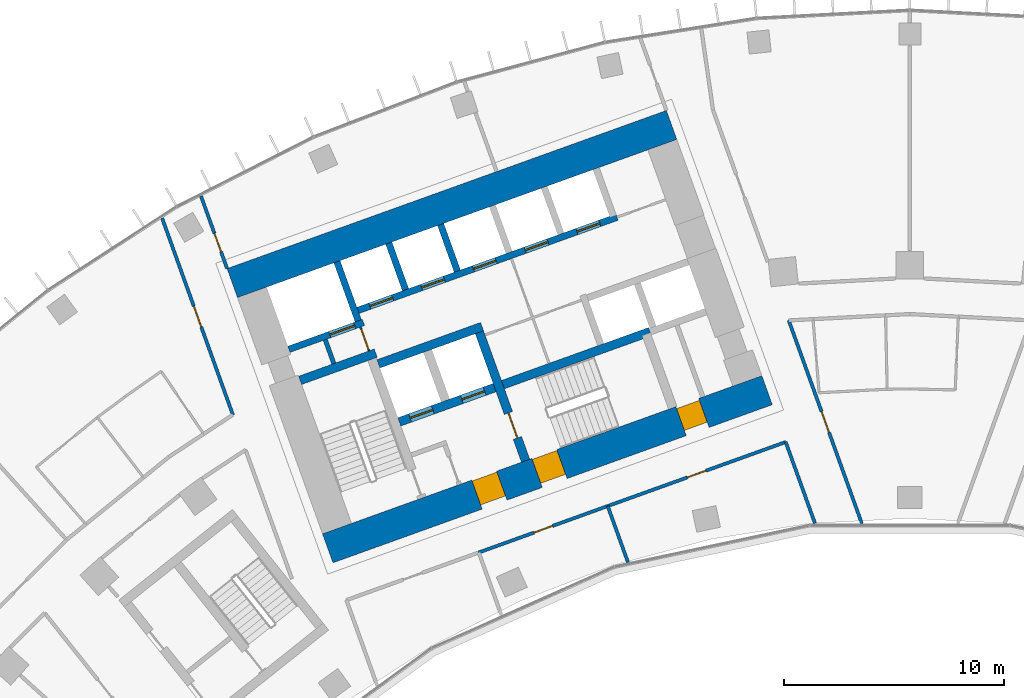
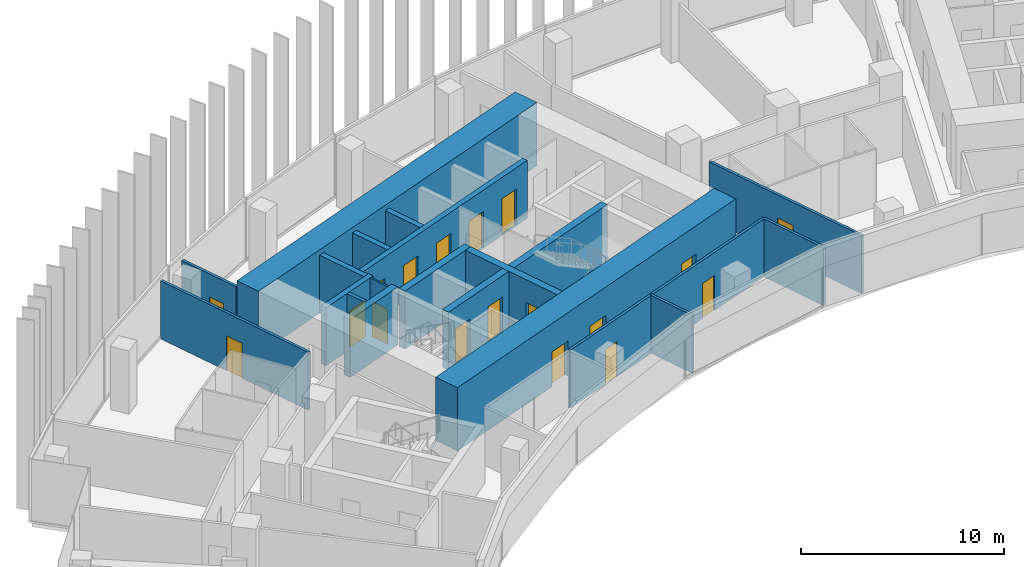
# One storey, part 16 of 23: 20 walls, 18 doors, 18 openings.
"""IFC4 building model written with IfcOpenShell, lengths in metres."""

import ifcopenshell
import ifcopenshell.guid

model = None  # the IFC model being written
_history = None  # IfcOwnerHistory: only IFC2X3 demands one
_inside = {}  # id of a spatial element -> (the spatial element, [elements in it])
_under = {}  # id of a project, library or spatial element -> (it, [spatial elements below it])
_declared = {}  # id of a project -> (the project, [libraries it declares])
_typed = {}  # id of a type object -> (the type object, [elements of that type])
_made_of = {}  # id of a material, layer set ... -> (it, [elements and type objects made of it])


def new_model(schema):
    """Start an empty IFC model of exactly this schema.

    Asked for "IFC4X3", IfcOpenShell would pick the latest addendum, in which some entities
    have other attributes; the version numbers below select the first issue.
    IFC2X3 requires an IfcOwnerHistory on every rooted entity: one is made here for all.
    """
    global model, _history
    if schema == "IFC4X3":
        model = ifcopenshell.file(schema_version=(4, 3, 0, 0))
    else:
        model = ifcopenshell.file(schema=schema)
    _inside.clear()
    _under.clear()
    _declared.clear()
    _typed.clear()
    _made_of.clear()
    _history = None
    if model.schema == "IFC2X3":
        org = make("IfcOrganization", Name="unknown")
        user = make(
            "IfcPersonAndOrganization",
            ThePerson=make("IfcPerson", FamilyName="unknown"),
            TheOrganization=org,
        )
        app = make(
            "IfcApplication",
            ApplicationDeveloper=org,
            Version="unknown",
            ApplicationFullName="unknown",
            ApplicationIdentifier="unknown",
        )
        _history = make(
            "IfcOwnerHistory",
            OwningUser=user,
            OwningApplication=app,
            ChangeAction="ADDED",
            CreationDate=0,
        )
    return model


def make(cls, **values):
    """One entity of the class cls with the attributes given. An attribute that is None is left unset."""
    return model.create_entity(
        cls, **{name: value for name, value in values.items() if value is not None}
    )


def rooted(cls, **values):
    """An entity with a GlobalId (a new one), such as an element, a storey or a relation."""
    return make(cls, GlobalId=ifcopenshell.guid.new(), OwnerHistory=_history, **values)


def si_unit(unit_type, name, prefix=None):
    """IfcSIUnit, for example si_unit("LENGTHUNIT", "METRE", prefix="MILLI")."""
    return make("IfcSIUnit", UnitType=unit_type, Prefix=prefix, Name=name)


def assignment(units):
    """IfcUnitAssignment: the units of a project."""
    return None if units is None else make("IfcUnitAssignment", Units=units)


def point(xyz):
    """IfcCartesianPoint."""
    return None if xyz is None else make("IfcCartesianPoint", Coordinates=xyz)


def direction(xyz):
    """IfcDirection."""
    return None if xyz is None else make("IfcDirection", DirectionRatios=xyz)


def frame(location, z_axis=None, x_axis=None):
    """IfcAxis2Placement3D, a coordinate frame: its origin and axes. An axis left out is left unset."""
    return make(
        "IfcAxis2Placement3D",
        Location=point(location),
        Axis=direction(z_axis),
        RefDirection=direction(x_axis),
    )


def frame_2d(location, x_axis=None):
    """IfcAxis2Placement2D, a coordinate frame in the plane: its origin and x axis."""
    return make(
        "IfcAxis2Placement2D", Location=point(location), RefDirection=direction(x_axis)
    )


def origin():
    """The frame at (0, 0, 0) with its axes left unset."""
    return frame((0.0, 0.0, 0.0))


def place(relative_to, where):
    """IfcLocalPlacement: puts the frame where relative to a parent placement (None: the world)."""
    return make(
        "IfcLocalPlacement", PlacementRelTo=relative_to, RelativePlacement=where
    )


def context(
    kind, dimensions, precision=None, world=None, true_north=None, identifier=None
):
    """IfcGeometricRepresentationContext, for example the 3D "Model" context."""
    return make(
        "IfcGeometricRepresentationContext",
        ContextIdentifier=identifier,
        ContextType=kind,
        CoordinateSpaceDimension=dimensions,
        Precision=precision,
        WorldCoordinateSystem=world,
        TrueNorth=true_north,
    )


def subcontext(parent, identifier, kind, view, scale=None):
    """IfcGeometricRepresentationSubContext, for example "Body" below "Model"."""
    return make(
        "IfcGeometricRepresentationSubContext",
        ContextIdentifier=identifier,
        ContextType=kind,
        ParentContext=parent,
        TargetScale=scale,
        TargetView=view,
    )


def project(units=None, contexts=None):
    """IfcProject with its units and contexts."""
    return rooted(
        "IfcProject",
        Name="project",
        RepresentationContexts=contexts,
        UnitsInContext=assignment(units),
    )


def spatial(cls, under=None, at=None, **own):
    """A site, building, storey or space (cls), placed at a placement, below another one or the project."""
    s = rooted(cls, ObjectPlacement=at, **own)
    if under is not None:
        _under.setdefault(under.id(), (under, []))[1].append(s)
    return s


def profile(cls, at=None, kind="AREA", **sizes):
    """A parametric profile (cls). Its sizes go by their IFC names, for example OverallWidth=200.0."""
    return make(cls, ProfileType=kind, Position=at, **sizes)


def rectangle(**sizes):
    """IfcRectangleProfileDef."""
    return profile("IfcRectangleProfileDef", **sizes)


def extrude(swept, where, along, depth):
    """IfcExtrudedAreaSolid: the profile swept, set in the frame where, extruded along a direction by depth."""
    return make(
        "IfcExtrudedAreaSolid",
        SweptArea=swept,
        Position=where,
        ExtrudedDirection=direction(along),
        Depth=depth,
    )


def shape(context_of_items, identifier, shape_type, items):
    """IfcShapeRepresentation: the items that make up one representation, for example the "Body"."""
    return make(
        "IfcShapeRepresentation",
        ContextOfItems=context_of_items,
        RepresentationIdentifier=identifier,
        RepresentationType=shape_type,
        Items=items,
    )


def material(Name=None, Category=None):
    """IfcMaterial."""
    return make("IfcMaterial", Name=Name, Category=Category)


def layer(
    of_material, thickness, ventilated=None, Name=None, Category=None, Priority=None
):
    """IfcMaterialLayer: one layer of a wall or slab, of a material (None: an air gap)."""
    return make(
        "IfcMaterialLayer",
        Material=of_material,
        LayerThickness=thickness,
        IsVentilated=ventilated,
        Name=Name,
        Category=Category,
        Priority=Priority,
    )


def layer_set(layers, Name=None):
    """IfcMaterialLayerSet."""
    return make("IfcMaterialLayerSet", MaterialLayers=layers, LayerSetName=Name)


def made_of(thing, what):
    """Note that an element or type object is made of a material, layer set ...; save() writes the relation."""
    if what is not None:
        _made_of.setdefault(what.id(), (what, []))[1].append(thing)
    return thing


def type_object(cls, material=None, **own):
    """A type object (cls), such as IfcWallType, which elements share."""
    return made_of(rooted(cls, **own), material)


def element(
    cls,
    number,
    at=None,
    inside=None,
    cuts=None,
    type_object=None,
    material=None,
    context=None,
    identifier="Body",
    shape_type=None,
    held_by="IfcProductDefinitionShape",
    body=None,
    shapes=None,
    **own,
):
    """One element of the class cls, such as IfcWall. Its Tag is "e" and its number.

    at: its placement. inside: the storey or other place that contains it. cuts: it is an
    opening in that element (IfcRelVoidsElement). A single representation is given by context,
    identifier, shape_type and body (its items); several are given by shapes. held_by: the class
    of the entity that holds the representations. save() writes the other relations.
    """
    e = rooted(cls, Tag="e%d" % number, ObjectPlacement=at, **own)
    if body is not None:
        shapes = [shape(context, identifier, shape_type, body)]
    if shapes is not None:
        e.Representation = make(held_by, Representations=shapes)
    if inside is not None:
        _inside.setdefault(inside.id(), (inside, []))[1].append(e)
    if cuts is not None:
        rooted(
            "IfcRelVoidsElement", RelatingBuildingElement=cuts, RelatedOpeningElement=e
        )
    if type_object is not None:
        _typed.setdefault(type_object.id(), (type_object, []))[1].append(e)
    return made_of(e, material)


def fill(opening, filler):
    """IfcRelFillsElement: the door or window that sits in an opening."""
    return rooted(
        "IfcRelFillsElement",
        RelatingOpeningElement=opening,
        RelatedBuildingElement=filler,
    )


def aggregate(whole, parts):
    """IfcRelAggregates: a whole, such as a stair, and the parts it consists of."""
    return rooted("IfcRelAggregates", RelatingObject=whole, RelatedObjects=parts)


def save(model, path):
    """Write the relations noted so far, then the file.

    IfcRelAggregates (storeys below a building ...), IfcRelContainedInSpatialStructure (elements
    in a storey), IfcRelDefinesByType, IfcRelAssociatesMaterial and IfcRelDeclares: one each for
    every whole, place, type object, material and project.
    """
    for whole, parts in _under.values():
        aggregate(whole, parts)
    for where, things in _inside.values():
        rooted(
            "IfcRelContainedInSpatialStructure",
            RelatedElements=things,
            RelatingStructure=where,
        )
    for kind, things in _typed.values():
        rooted("IfcRelDefinesByType", RelatedObjects=things, RelatingType=kind)
    for what, things in _made_of.values():
        rooted("IfcRelAssociatesMaterial", RelatedObjects=things, RelatingMaterial=what)
    for by, libraries in _declared.values():
        rooted("IfcRelDeclares", RelatingContext=by, RelatedDefinitions=libraries)
    model.write(path)


model = new_model("IFC4")

# Units and contexts
model_context = context("Model", 3, precision=1e-05, world=origin(), true_north=direction((0.0, 1.0)))
body_context = subcontext(model_context, "Body", "Model", "MODEL_VIEW")
ifc_project = project(units=[si_unit("LENGTHUNIT", "METRE"), si_unit("AREAUNIT", "SQUARE_METRE"), si_unit("VOLUMEUNIT", "CUBIC_METRE"), si_unit("PLANEANGLEUNIT", "RADIAN"), si_unit("MASSUNIT", "GRAM", prefix="KILO")], contexts=[model_context])

# Site, building, storey
site_placement = place(None, origin())
site = spatial("IfcSite", under=ifc_project, at=site_placement, CompositionType="ELEMENT")
building_placement = place(site_placement, origin())
building = spatial("IfcBuilding", under=site, at=building_placement, Name="Stone Belt Terrace Tower", CompositionType="ELEMENT")
storey_placement = place(building_placement, frame((0.0, 0.0, 178.199951171875)))
storey = spatial("IfcBuildingStorey", under=building, at=storey_placement, Name="L43", CompositionType="ELEMENT", Elevation=178.199951171875)

# Wall, opening, door
ifc_material_1 = material(Name="Plasterboard partition")
ifc_layer_1 = layer(ifc_material_1, 0.10009765625)
ifc_layer_set_1 = layer_set([ifc_layer_1], Name="Core partition 100")
wall_type_1 = type_object("IfcWallType", Name="Core partition 100", PredefinedType="PARTITIONING", material=ifc_layer_set_1)
wall_1_placement = place(storey_placement, frame((-24.555908203125, 51.10400390625, 0.0), z_axis=(0.0, 0.0, 1.0), x_axis=(-0.338621735342, 0.94092258999, 0.0)))
wall_1 = element("IfcWall", 1, at=wall_1_placement, inside=storey, type_object=wall_type_1, Name="Core A wall", PredefinedType="PARTITIONING", context=body_context, shape_type="SweptSolid", body=[
    extrude(rectangle(XDim=1.14990234375, YDim=0.10009765625, at=frame_2d((0.574951171875, 0.0))), origin(), (0.0, 0.0, 1.0), 3.47998046875),
])
opening_1_placement = place(wall_1_placement, frame((0.050048828125, 0.0, 0.0)))
opening_1 = element("IfcOpeningElement", 2, at=opening_1_placement, cuts=wall_1, Name="Opening L43-C05", PredefinedType="OPENING", context=body_context, shape_type="SweptSolid", body=[
    extrude(rectangle(XDim=1.0, YDim=2.10009765625, at=frame_2d((0.5, 1.050048828125))), frame((0.0, 0.06005859375, 0.0), z_axis=(0.0, -1.0, 0.0), x_axis=(1.0, 0.0, 0.0)), (0.0, 0.0, 1.0), 0.1201171875),
])
ifc_material_2 = material(Name="Timber door leaf", Category="wood")
door_type_1 = type_object("IfcDoorType", Name="Core room door 1000", OperationType="SINGLE_SWING_LEFT", PredefinedType="DOOR", material=ifc_material_2)
door_1_placement = place(opening_1_placement, origin())
door_1 = element("IfcDoor", 3, at=door_1_placement, inside=storey, type_object=door_type_1, Name="Service lift lobby door core A", OperationType="SINGLE_SWING_RIGHT", OverallHeight=2.10009765625, OverallWidth=1.0, PredefinedType="DOOR", context=body_context, shape_type="SweptSolid", body=[
    extrude(rectangle(XDim=1.0, YDim=2.10009765625, at=frame_2d((0.5, 1.050048828125))), frame((0.0, 0.02490234375, 0.0), z_axis=(0.0, -1.0, 0.0), x_axis=(1.0, 0.0, 0.0)), (0.0, 0.0, 1.0), 0.050048828125),
])
fill(opening_1, door_1)

# Wall, openings, doors
ifc_material_3 = material(Name="Concrete B80", Category="concrete")
ifc_layer_2 = layer(ifc_material_3, 1.39990234375)
ifc_layer_set_2 = layer_set([ifc_layer_2], Name="Core wall 1400 B80")
wall_type_2 = type_object("IfcWallType", Name="Core wall 1400 B80", PredefinedType="SHEAR", material=ifc_layer_set_2)
wall_2_placement = place(storey_placement, frame((-26.430908203125, 42.139404296875, 0.0), z_axis=(0.0, 0.0, 1.0), x_axis=(0.940923374003, 0.33861955681, 0.0)))
wall_2 = element("IfcWall", 4, at=wall_2_placement, inside=storey, type_object=wall_type_2, Name="Core A wall concave L43", PredefinedType="SHEAR", context=body_context, shape_type="SweptSolid", body=[
    extrude(rectangle(XDim=21.199951171875, YDim=1.39990234375, at=frame_2d((10.60009765625, 0.0))), origin(), (0.0, 0.0, 1.0), 3.800048828125),
])
opening_2_placement = place(wall_2_placement, frame((7.199951171875, 0.0, 0.0)))
opening_2 = element("IfcOpeningElement", 5, at=opening_2_placement, cuts=wall_2, Name="Opening L43-C10", PredefinedType="OPENING", context=body_context, shape_type="SweptSolid", body=[
    extrude(rectangle(XDim=1.199951171875, YDim=2.10009765625, at=frame_2d((0.60009765625, 1.050048828125))), frame((0.0, 0.7099609375, 0.0), z_axis=(0.0, -1.0, 0.0), x_axis=(1.0, 0.0, 0.0)), (0.0, 0.0, 1.0), 1.419921875),
])
opening_3_placement = place(wall_2_placement, frame((10.099853515625, 0.0, 0.0)))
opening_3 = element("IfcOpeningElement", 6, at=opening_3_placement, cuts=wall_2, Name="Opening L43-C12", PredefinedType="OPENING", context=body_context, shape_type="SweptSolid", body=[
    extrude(rectangle(XDim=1.199951171875, YDim=2.10009765625, at=frame_2d((0.60009765625, 1.050048828125))), frame((0.0, 0.7099609375, 0.0), z_axis=(0.0, -1.0, 0.0), x_axis=(1.0, 0.0, 0.0)), (0.0, 0.0, 1.0), 1.419921875),
])
opening_4_placement = place(wall_2_placement, frame((17.050048828125, 0.0, 0.0)))
opening_4 = element("IfcOpeningElement", 7, at=opening_4_placement, cuts=wall_2, Name="Opening L43-C14", PredefinedType="OPENING", context=body_context, shape_type="SweptSolid", body=[
    extrude(rectangle(XDim=1.10009765625, YDim=2.10009765625, at=frame_2d((0.550048828125, 1.050048828125))), frame((0.0, 0.7099609375, 0.0), z_axis=(0.0, -1.0, 0.0), x_axis=(1.0, 0.0, 0.0)), (0.0, 0.0, 1.0), 1.419921875),
])
door_type_2 = type_object("IfcDoorType", Name="Core room door 1100", OperationType="SINGLE_SWING_LEFT", PredefinedType="DOOR", material=ifc_material_2)
door_2_placement = place(opening_4_placement, origin())
door_2 = element("IfcDoor", 8, at=door_2_placement, inside=storey, type_object=door_type_2, Name="Door to Communications riser room core A", OperationType="SINGLE_SWING_RIGHT", OverallHeight=2.10009765625, OverallWidth=1.10009765625, PredefinedType="DOOR", context=body_context, shape_type="SweptSolid", body=[
    extrude(rectangle(XDim=1.10009765625, YDim=2.10009765625, at=frame_2d((0.550048828125, 1.050048828125))), frame((0.0, 0.60498046875, 0.0), z_axis=(0.0, -1.0, 0.0), x_axis=(1.0, 0.0, 0.0)), (0.0, 0.0, 1.0), 1.050048828125),
])
fill(opening_4, door_2)
ifc_material_4 = material(Name="Steel door leaf", Category="steel")
door_type_3 = type_object("IfcDoorType", Name="Fire-fighting lobby door 1200", OperationType="SINGLE_SWING_LEFT", PredefinedType="DOOR", material=ifc_material_4)
door_3_placement = place(opening_2_placement, origin())
door_3 = element("IfcDoor", 9, at=door_3_placement, inside=storey, type_object=door_type_3, Name="Fire-fighting lobby door core A", OperationType="SINGLE_SWING_RIGHT", OverallHeight=2.10009765625, OverallWidth=1.199951171875, PredefinedType="DOOR", context=body_context, shape_type="SweptSolid", body=[
    extrude(rectangle(XDim=1.199951171875, YDim=2.10009765625, at=frame_2d((0.60009765625, 1.050048828125))), frame((0.0, 0.655029296875, 0.0), z_axis=(0.0, -1.0, 0.0), x_axis=(1.0, 0.0, 0.0)), (0.0, 0.0, 1.0), 1.14990234375),
])
fill(opening_2, door_3)
door_type_4 = type_object("IfcDoorType", Name="Stair door 1200", OperationType="SINGLE_SWING_LEFT", PredefinedType="DOOR", material=ifc_material_4)
door_4_placement = place(opening_3_placement, origin())
door_4 = element("IfcDoor", 10, at=door_4_placement, inside=storey, type_object=door_type_4, Name="Stair 2 exit door core A", OperationType="SINGLE_SWING_LEFT", OverallHeight=2.10009765625, OverallWidth=1.199951171875, PredefinedType="DOOR", context=body_context, shape_type="SweptSolid", body=[
    extrude(rectangle(XDim=1.199951171875, YDim=2.10009765625, at=frame_2d((0.60009765625, 1.050048828125))), frame((0.0, 0.655029296875, 0.0), z_axis=(0.0, -1.0, 0.0), x_axis=(1.0, 0.0, 0.0)), (0.0, 0.0, 1.0), 1.14990234375),
])
fill(opening_3, door_4)

# Walls
wall_3_placement = place(storey_placement, frame((-30.765380859375, 54.18310546875, 0.0), z_axis=(0.0, 0.0, 1.0), x_axis=(0.940919704758, 0.338629752382, 0.0)))
element("IfcWall", 11, at=wall_3_placement, inside=storey, type_object=wall_type_2, Name="Core A wall convex L43", PredefinedType="SHEAR", context=body_context, shape_type="SweptSolid", body=[
    extrude(rectangle(XDim=21.199951171875, YDim=1.39990234375, at=frame_2d((10.60009765625, 0.0))), origin(), (0.0, 0.0, 1.0), 3.800048828125),
])
ifc_layer_3 = layer(ifc_material_3, 0.39990234375)
ifc_layer_set_3 = layer_set([ifc_layer_3], Name="Fire-fighting lift shaft wall 400")
wall_type_3 = type_object("IfcWallType", Name="Fire-fighting lift shaft wall 400", PredefinedType="SHEAR", material=ifc_layer_set_3)
wall_4_placement = place(storey_placement, frame((-24.130615234375, 50.512939453125, 0.0), z_axis=(0.0, 0.0, 1.0), x_axis=(0.94091168377, 0.338652038744, 0.0)))
element("IfcWall", 12, at=wall_4_placement, inside=storey, type_object=wall_type_3, Name="Core A wall", PredefinedType="SHEAR", context=body_context, shape_type="SweptSolid", body=[
    extrude(rectangle(XDim=5.000244140625, YDim=0.39990234375, at=frame_2d((2.5, 0.0))), origin(), (0.0, 0.0, 1.0), 3.47998046875),
])

# Wall, opening, door
ifc_layer_4 = layer(ifc_material_3, 0.300048828125)
ifc_layer_set_4 = layer_set([ifc_layer_4], Name="Lift shaft wall 300")
wall_type_4 = type_object("IfcWallType", Name="Lift shaft wall 300", PredefinedType="SHEAR", material=ifc_layer_set_4)
wall_5_placement = place(storey_placement, frame((-28.195068359375, 51.17578125, 0.0), z_axis=(0.0, 0.0, 1.0), x_axis=(0.940901243567, 0.338681044427, 0.0)))
wall_5 = element("IfcWall", 13, at=wall_5_placement, inside=storey, type_object=wall_type_4, Name="Core A wall", PredefinedType="SHEAR", context=body_context, shape_type="SweptSolid", body=[
    extrude(rectangle(XDim=3.599853515625, YDim=0.300048828125, at=frame_2d((1.7998046875, 0.0))), origin(), (0.0, 0.0, 1.0), 3.47998046875),
])
opening_5_placement = place(wall_5_placement, frame((1.969970703125, 0.0, 0.0)))
opening_5 = element("IfcOpeningElement", 14, at=opening_5_placement, cuts=wall_5, Name="Opening L43-LD08", PredefinedType="OPENING", context=body_context, shape_type="SweptSolid", body=[
    extrude(rectangle(XDim=1.199951171875, YDim=2.199951171875, at=frame_2d((0.60009765625, 1.10009765625))), frame((0.0, 0.159912109375, 0.0), z_axis=(0.0, -1.0, 0.0), x_axis=(1.0, 0.0, 0.0)), (0.0, 0.0, 1.0), 0.320068359375),
])
ifc_material_5 = material(Name="Stainless steel door leaf", Category="steel")
door_type_5 = type_object("IfcDoorType", Name="Landing door 1200", OperationType="SLIDING_TO_LEFT", PredefinedType="DOOR", material=ifc_material_5)
door_5_placement = place(opening_5_placement, origin())
door_5 = element("IfcDoor", 15, at=door_5_placement, inside=storey, type_object=door_type_5, Name="Landing door SV1 core A", OperationType="SLIDING_TO_LEFT", OverallHeight=2.199951171875, OverallWidth=1.199951171875, PredefinedType="DOOR", context=body_context, shape_type="SweptSolid", body=[
    extrude(rectangle(XDim=1.199951171875, YDim=2.199951171875, at=frame_2d((0.60009765625, 1.10009765625))), frame((0.0, 0.02490234375, 0.0), z_axis=(0.0, -1.0, 0.0), x_axis=(1.0, 0.0, 0.0)), (0.0, 0.0, 1.0), 0.050048828125),
])
fill(opening_5, door_5)

# Wall
wall_6_placement = place(storey_placement, frame((-25.046875, 52.46826171875, 0.0), z_axis=(0.0, 0.0, 1.0), x_axis=(-0.338549588058, 0.940948551423, 0.0)))
element("IfcWall", 16, at=wall_6_placement, inside=storey, type_object=wall_type_4, Name="Core A wall", PredefinedType="SHEAR", context=body_context, shape_type="SweptSolid", body=[
    extrude(rectangle(XDim=2.849853515625, YDim=0.300048828125, at=frame_2d((1.4248046875, 0.0))), origin(), (0.0, 0.0, 1.0), 3.47998046875),
])

# Wall, openings, doors
wall_7_placement = place(storey_placement, frame((-25.05810546875, 52.9423828125, 0.0), z_axis=(0.0, 0.0, 1.0), x_axis=(0.940920770291, 0.338626791666, 0.0)))
wall_7 = element("IfcWall", 17, at=wall_7_placement, inside=storey, type_object=wall_type_4, Name="Core A wall", PredefinedType="SHEAR", context=body_context, shape_type="SweptSolid", body=[
    extrude(rectangle(XDim=12.500244140625, YDim=0.300048828125, at=frame_2d((6.25, 0.0))), origin(), (0.0, 0.0, 1.0), 3.47998046875),
])
opening_6_placement = place(wall_7_placement, frame((0.570068359375, 0.0, 0.0)))
opening_6 = element("IfcOpeningElement", 18, at=opening_6_placement, cuts=wall_7, Name="Opening L43-LD01", PredefinedType="OPENING", context=body_context, shape_type="SweptSolid", body=[
    extrude(rectangle(XDim=1.10009765625, YDim=2.199951171875, at=frame_2d((0.550048828125, 1.10009765625))), frame((0.0, 0.159912109375, 0.0), z_axis=(0.0, -1.0, 0.0), x_axis=(1.0, 0.0, 0.0)), (0.0, 0.0, 1.0), 0.320068359375),
])
opening_7_placement = place(wall_7_placement, frame((3.070068359375, 0.0, 0.0)))
opening_7 = element("IfcOpeningElement", 19, at=opening_7_placement, cuts=wall_7, Name="Opening L43-LD02", PredefinedType="OPENING", context=body_context, shape_type="SweptSolid", body=[
    extrude(rectangle(XDim=1.10009765625, YDim=2.199951171875, at=frame_2d((0.550048828125, 1.10009765625))), frame((0.0, 0.159912109375, 0.0), z_axis=(0.0, -1.0, 0.0), x_axis=(1.0, 0.0, 0.0)), (0.0, 0.0, 1.0), 0.320068359375),
])
opening_8_placement = place(wall_7_placement, frame((5.570068359375, 0.0, 0.0)))
opening_8 = element("IfcOpeningElement", 20, at=opening_8_placement, cuts=wall_7, Name="Opening L43-LD03", PredefinedType="OPENING", context=body_context, shape_type="SweptSolid", body=[
    extrude(rectangle(XDim=1.10009765625, YDim=2.199951171875, at=frame_2d((0.550048828125, 1.10009765625))), frame((0.0, 0.159912109375, 0.0), z_axis=(0.0, -1.0, 0.0), x_axis=(1.0, 0.0, 0.0)), (0.0, 0.0, 1.0), 0.320068359375),
])
opening_9_placement = place(wall_7_placement, frame((8.070068359375, 0.0, 0.0)))
opening_9 = element("IfcOpeningElement", 21, at=opening_9_placement, cuts=wall_7, Name="Opening L43-LD04", PredefinedType="OPENING", context=body_context, shape_type="SweptSolid", body=[
    extrude(rectangle(XDim=1.10009765625, YDim=2.199951171875, at=frame_2d((0.550048828125, 1.10009765625))), frame((0.0, 0.159912109375, 0.0), z_axis=(0.0, -1.0, 0.0), x_axis=(1.0, 0.0, 0.0)), (0.0, 0.0, 1.0), 0.320068359375),
])
opening_10_placement = place(wall_7_placement, frame((10.570068359375, 0.0, 0.0)))
opening_10 = element("IfcOpeningElement", 22, at=opening_10_placement, cuts=wall_7, Name="Opening L43-LD05", PredefinedType="OPENING", context=body_context, shape_type="SweptSolid", body=[
    extrude(rectangle(XDim=1.10009765625, YDim=2.199951171875, at=frame_2d((0.550048828125, 1.10009765625))), frame((0.0, 0.159912109375, 0.0), z_axis=(0.0, -1.0, 0.0), x_axis=(1.0, 0.0, 0.0)), (0.0, 0.0, 1.0), 0.320068359375),
])
door_type_6 = type_object("IfcDoorType", Name="Landing door 1100", OperationType="SLIDING_TO_LEFT", PredefinedType="DOOR", material=ifc_material_5)
door_6_placement = place(opening_6_placement, origin())
door_6 = element("IfcDoor", 23, at=door_6_placement, inside=storey, type_object=door_type_6, Name="Landing door MR1 core A", OperationType="SLIDING_TO_LEFT", OverallHeight=2.199951171875, OverallWidth=1.10009765625, PredefinedType="DOOR", context=body_context, shape_type="SweptSolid", body=[
    extrude(rectangle(XDim=1.10009765625, YDim=2.199951171875, at=frame_2d((0.550048828125, 1.10009765625))), frame((0.0, 0.02490234375, 0.0), z_axis=(0.0, -1.0, 0.0), x_axis=(1.0, 0.0, 0.0)), (0.0, 0.0, 1.0), 0.050048828125),
])
fill(opening_6, door_6)
door_7_placement = place(opening_7_placement, origin())
door_7 = element("IfcDoor", 24, at=door_7_placement, inside=storey, type_object=door_type_6, Name="Landing door MR2 core A", OperationType="SLIDING_TO_LEFT", OverallHeight=2.199951171875, OverallWidth=1.10009765625, PredefinedType="DOOR", context=body_context, shape_type="SweptSolid", body=[
    extrude(rectangle(XDim=1.10009765625, YDim=2.199951171875, at=frame_2d((0.550048828125, 1.10009765625))), frame((0.0, 0.02490234375, 0.0), z_axis=(0.0, -1.0, 0.0), x_axis=(1.0, 0.0, 0.0)), (0.0, 0.0, 1.0), 0.050048828125),
])
fill(opening_7, door_7)
door_8_placement = place(opening_8_placement, origin())
door_8 = element("IfcDoor", 25, at=door_8_placement, inside=storey, type_object=door_type_6, Name="Landing door MR3 core A", OperationType="SLIDING_TO_LEFT", OverallHeight=2.199951171875, OverallWidth=1.10009765625, PredefinedType="DOOR", context=body_context, shape_type="SweptSolid", body=[
    extrude(rectangle(XDim=1.10009765625, YDim=2.199951171875, at=frame_2d((0.550048828125, 1.10009765625))), frame((0.0, 0.02490234375, 0.0), z_axis=(0.0, -1.0, 0.0), x_axis=(1.0, 0.0, 0.0)), (0.0, 0.0, 1.0), 0.050048828125),
])
fill(opening_8, door_8)
door_9_placement = place(opening_9_placement, origin())
door_9 = element("IfcDoor", 26, at=door_9_placement, inside=storey, type_object=door_type_6, Name="Landing door MR4 core A", OperationType="SLIDING_TO_LEFT", OverallHeight=2.199951171875, OverallWidth=1.10009765625, PredefinedType="DOOR", context=body_context, shape_type="SweptSolid", body=[
    extrude(rectangle(XDim=1.10009765625, YDim=2.199951171875, at=frame_2d((0.550048828125, 1.10009765625))), frame((0.0, 0.02490234375, 0.0), z_axis=(0.0, -1.0, 0.0), x_axis=(1.0, 0.0, 0.0)), (0.0, 0.0, 1.0), 0.050048828125),
])
fill(opening_9, door_9)
door_10_placement = place(opening_10_placement, origin())
door_10 = element("IfcDoor", 27, at=door_10_placement, inside=storey, type_object=door_type_6, Name="Landing door MR5 core A", OperationType="SLIDING_TO_LEFT", OverallHeight=2.199951171875, OverallWidth=1.10009765625, PredefinedType="DOOR", context=body_context, shape_type="SweptSolid", body=[
    extrude(rectangle(XDim=1.10009765625, YDim=2.199951171875, at=frame_2d((0.550048828125, 1.10009765625))), frame((0.0, 0.02490234375, 0.0), z_axis=(0.0, -1.0, 0.0), x_axis=(1.0, 0.0, 0.0)), (0.0, 0.0, 1.0), 0.050048828125),
])
fill(opening_10, door_10)

# Walls
wall_8_placement = place(storey_placement, frame((-22.897705078125, 53.87939453125, 0.0), z_axis=(0.0, 0.0, 1.0), x_axis=(-0.338535034312, 0.940953787677, 0.0)))
element("IfcWall", 28, at=wall_8_placement, inside=storey, type_object=wall_type_4, Name="Core A wall", PredefinedType="SHEAR", context=body_context, shape_type="SweptSolid", body=[
    extrude(rectangle(XDim=2.25, YDim=0.300048828125, at=frame_2d((1.125, 0.0))), origin(), (0.0, 0.0, 1.0), 3.47998046875),
])
wall_9_placement = place(storey_placement, frame((-20.54541015625, 54.72607421875, 0.0), z_axis=(0.0, 0.0, 1.0), x_axis=(-0.338569601369, 0.940941350472, 0.0)))
element("IfcWall", 29, at=wall_9_placement, inside=storey, type_object=wall_type_4, Name="Core A wall", PredefinedType="SHEAR", context=body_context, shape_type="SweptSolid", body=[
    extrude(rectangle(XDim=2.249755859375, YDim=0.300048828125, at=frame_2d((1.125, 0.0))), origin(), (0.0, 0.0, 1.0), 3.47998046875),
])

# Wall, opening, door
ifc_material_6 = material(Name="Gypsum board partition")
ifc_layer_5 = layer(ifc_material_6, 0.14990234375)
ifc_layer_set_5 = layer_set([ifc_layer_5], Name="PARTITION 150 EI 60")
wall_type_5 = type_object("IfcWallType", Name="PARTITION 150 EI 60", PredefinedType="PARTITIONING", material=ifc_layer_set_5)
wall_10_placement = place(storey_placement, frame((-32.185791015625, 58.131103515625, 0.0), z_axis=(0.0, 0.0, 1.0), x_axis=(0.338662585219, -0.940907887826, 0.0)))
wall_10 = element("IfcWall", 30, at=wall_10_placement, inside=storey, type_object=wall_type_5, Name="L43/wall/i002", PredefinedType="PARTITIONING", context=body_context, shape_type="SweptSolid", body=[
    extrude(rectangle(XDim=3.49560546875, YDim=0.14990234375, at=frame_2d((1.747802734375, 0.0))), origin(), (0.0, 0.0, 1.0), 3.47998046875),
])
opening_11_placement = place(wall_10_placement, frame((1.796630859375, 0.0, 0.0)))
opening_11 = element("IfcOpeningElement", 31, at=opening_11_placement, cuts=wall_10, Name="Opening D-C4-04", PredefinedType="OPENING", context=body_context, shape_type="SweptSolid", body=[
    extrude(rectangle(XDim=0.89990234375, YDim=2.10009765625, at=frame_2d((0.449951171875, 1.050048828125))), frame((0.0, 0.0849609375, 0.0), z_axis=(0.0, -1.0, 0.0), x_axis=(1.0, 0.0, 0.0)), (0.0, 0.0, 1.0), 0.169921875),
])
door_type_7 = type_object("IfcDoorType", Name="OFFICE DOOR 900 X 2100", OperationType="NOTDEFINED", PredefinedType="DOOR", material=ifc_material_2)
door_11_placement = place(opening_11_placement, origin())
door_11 = element("IfcDoor", 32, at=door_11_placement, inside=storey, type_object=door_type_7, Name="L43/door/i04", OperationType="SINGLE_SWING_RIGHT", OverallHeight=2.10009765625, OverallWidth=0.89990234375, PredefinedType="DOOR", context=body_context, shape_type="SweptSolid", body=[
    extrude(rectangle(XDim=0.89990234375, YDim=2.10009765625, at=frame_2d((0.449951171875, 1.050048828125))), frame((0.0, 0.02490234375, 0.0), z_axis=(0.0, -1.0, 0.0), x_axis=(1.0, 0.0, 0.0)), (0.0, 0.0, 1.0), 0.050048828125),
])
fill(opening_11, door_11)

wall_11_placement = place(storey_placement, frame((-30.737060546875, 48.197021484375, 0.0), z_axis=(0.0, 0.0, 1.0), x_axis=(-0.338586530295, 0.940935258933, 0.0)))
wall_11 = element("IfcWall", 33, at=wall_11_placement, inside=storey, type_object=wall_type_5, Name="L43/wall/i005", PredefinedType="PARTITIONING", context=body_context, shape_type="SweptSolid", body=[
    extrude(rectangle(XDim=9.494873046875, YDim=0.14990234375, at=frame_2d((4.74755859375, 0.0))), origin(), (0.0, 0.0, 1.0), 3.47998046875),
])
opening_12_placement = place(wall_11_placement, frame((4.24755859375, 0.0, 0.0)))
opening_12 = element("IfcOpeningElement", 34, at=opening_12_placement, cuts=wall_11, Name="Opening D-C4-14", PredefinedType="OPENING", context=body_context, shape_type="SweptSolid", body=[
    extrude(rectangle(XDim=1.0, YDim=2.10009765625, at=frame_2d((0.5, 1.050048828125))), frame((0.0, 0.0849609375, 0.0), z_axis=(0.0, -1.0, 0.0), x_axis=(1.0, 0.0, 0.0)), (0.0, 0.0, 1.0), 0.169921875),
])
ifc_material_7 = material(Name="Timber fire door leaf", Category="wood")
door_type_8 = type_object("IfcDoorType", Name="TENANCY ENTRANCE DOOR 1000 X 2100", OperationType="NOTDEFINED", PredefinedType="DOOR", material=ifc_material_7)
door_12_placement = place(opening_12_placement, origin())
door_12 = element("IfcDoor", 35, at=door_12_placement, inside=storey, type_object=door_type_8, Name="L43/door/i14", OperationType="SINGLE_SWING_RIGHT", OverallHeight=2.10009765625, OverallWidth=1.0, PredefinedType="DOOR", context=body_context, shape_type="SweptSolid", body=[
    extrude(rectangle(XDim=1.0, YDim=2.10009765625, at=frame_2d((0.5, 1.050048828125))), frame((0.0, 0.02490234375, 0.0), z_axis=(0.0, -1.0, 0.0), x_axis=(1.0, 0.0, 0.0)), (0.0, 0.0, 1.0), 0.050048828125),
])
fill(opening_12, door_12)

# Wall
wall_12_placement = place(storey_placement, frame((-4.31005859375, 43.27880859375, 0.0), z_axis=(0.0, 0.0, 1.0), x_axis=(-0.338569683937, 0.940941320763, 0.0)))
element("IfcWall", 36, at=wall_12_placement, inside=storey, type_object=wall_type_5, Name="L43/wall/i006", PredefinedType="PARTITIONING", context=body_context, shape_type="SweptSolid", body=[
    extrude(rectangle(XDim=3.9248046875, YDim=0.14990234375, at=frame_2d((1.96240234375, 0.0))), origin(), (0.0, 0.0, 1.0), 3.47998046875),
])

# Wall, opening, door
wall_13_placement = place(storey_placement, frame((-5.5009765625, 52.492919921875, 0.0), z_axis=(0.0, 0.0, 1.0), x_axis=(0.338654259988, -0.940910884299, 0.0)))
wall_13 = element("IfcWall", 37, at=wall_13_placement, inside=storey, type_object=wall_type_5, Name="L43/wall/i008", PredefinedType="PARTITIONING", context=body_context, shape_type="SweptSolid", body=[
    extrude(rectangle(XDim=9.81103515625, YDim=0.14990234375, at=frame_2d((4.905517578125, 0.0))), origin(), (0.0, 0.0, 1.0), 3.47998046875),
])
opening_13_placement = place(wall_13_placement, frame((4.405517578125, 0.0, 0.0)))
opening_13 = element("IfcOpeningElement", 38, at=opening_13_placement, cuts=wall_13, Name="Opening D-C4-24", PredefinedType="OPENING", context=body_context, shape_type="SweptSolid", body=[
    extrude(rectangle(XDim=1.0, YDim=2.10009765625, at=frame_2d((0.5, 1.050048828125))), frame((0.0, 0.0849609375, 0.0), z_axis=(0.0, -1.0, 0.0), x_axis=(1.0, 0.0, 0.0)), (0.0, 0.0, 1.0), 0.169921875),
])
door_13_placement = place(opening_13_placement, origin())
door_13 = element("IfcDoor", 39, at=door_13_placement, inside=storey, type_object=door_type_8, Name="L43/door/i24", OperationType="SINGLE_SWING_LEFT", OverallHeight=2.10009765625, OverallWidth=1.0, PredefinedType="DOOR", context=body_context, shape_type="SweptSolid", body=[
    extrude(rectangle(XDim=1.0, YDim=2.10009765625, at=frame_2d((0.5, 1.050048828125))), frame((0.0, 0.02490234375, 0.0), z_axis=(0.0, -1.0, 0.0), x_axis=(1.0, 0.0, 0.0)), (0.0, 0.0, 1.0), 0.050048828125),
])
fill(opening_13, door_13)

wall_14_placement = place(storey_placement, frame((-13.712890625, 44.06005859375, 0.0), z_axis=(0.0, 0.0, 1.0), x_axis=(-0.940875930311, -0.338751359793, 0.0)))
wall_14 = element("IfcWall", 40, at=wall_14_placement, inside=storey, type_object=wall_type_5, Name="L43/wall/i012", PredefinedType="PARTITIONING", context=body_context, shape_type="SweptSolid", body=[
    extrude(rectangle(XDim=6.23486328125, YDim=0.14990234375, at=frame_2d((3.117431640625, 0.0))), origin(), (0.0, 0.0, 1.0), 3.47998046875),
])
opening_14_placement = place(wall_14_placement, frame((2.667236328125, 0.0, 0.0)))
opening_14 = element("IfcOpeningElement", 41, at=opening_14_placement, cuts=wall_14, Name="Opening D-C4-02", PredefinedType="OPENING", context=body_context, shape_type="SweptSolid", body=[
    extrude(rectangle(XDim=0.89990234375, YDim=2.10009765625, at=frame_2d((0.449951171875, 1.050048828125))), frame((0.0, 0.0849609375, 0.0), z_axis=(0.0, -1.0, 0.0), x_axis=(1.0, 0.0, 0.0)), (0.0, 0.0, 1.0), 0.169921875),
])
door_14_placement = place(opening_14_placement, origin())
door_14 = element("IfcDoor", 42, at=door_14_placement, inside=storey, type_object=door_type_7, Name="L43/door/i02", OperationType="SINGLE_SWING_RIGHT", OverallHeight=2.10009765625, OverallWidth=0.89990234375, PredefinedType="DOOR", context=body_context, shape_type="SweptSolid", body=[
    extrude(rectangle(XDim=0.89990234375, YDim=2.10009765625, at=frame_2d((0.449951171875, 1.050048828125))), frame((0.0, 0.02490234375, 0.0), z_axis=(0.0, -1.0, 0.0), x_axis=(1.0, 0.0, 0.0)), (0.0, 0.0, 1.0), 0.050048828125),
])
fill(opening_14, door_14)

wall_15_placement = place(storey_placement, frame((-5.636962890625, 46.966064453125, 0.0), z_axis=(0.0, 0.0, 1.0), x_axis=(-0.940932667213, -0.338593732624, 0.0)))
wall_15 = element("IfcWall", 43, at=wall_15_placement, inside=storey, type_object=wall_type_5, Name="L43/wall/i013", PredefinedType="PARTITIONING", context=body_context, shape_type="SweptSolid", body=[
    extrude(rectangle(XDim=8.5947265625, YDim=0.14990234375, at=frame_2d((4.29736328125, 0.0))), origin(), (0.0, 0.0, 1.0), 3.47998046875),
])
opening_15_placement = place(wall_15_placement, frame((3.847412109375, 0.0, 0.0)))
opening_15 = element("IfcOpeningElement", 44, at=opening_15_placement, cuts=wall_15, Name="Opening D-C4-03", PredefinedType="OPENING", context=body_context, shape_type="SweptSolid", body=[
    extrude(rectangle(XDim=0.89990234375, YDim=2.10009765625, at=frame_2d((0.449951171875, 1.050048828125))), frame((0.0, 0.0849609375, 0.0), z_axis=(0.0, -1.0, 0.0), x_axis=(1.0, 0.0, 0.0)), (0.0, 0.0, 1.0), 0.169921875),
])
door_15_placement = place(opening_15_placement, origin())
door_15 = element("IfcDoor", 45, at=door_15_placement, inside=storey, type_object=door_type_7, Name="L43/door/i03", OperationType="SINGLE_SWING_LEFT", OverallHeight=2.10009765625, OverallWidth=0.89990234375, PredefinedType="DOOR", context=body_context, shape_type="SweptSolid", body=[
    extrude(rectangle(XDim=0.89990234375, YDim=2.10009765625, at=frame_2d((0.449951171875, 1.050048828125))), frame((0.0, 0.02490234375, 0.0), z_axis=(0.0, -1.0, 0.0), x_axis=(1.0, 0.0, 0.0)), (0.0, 0.0, 1.0), 0.050048828125),
])
fill(opening_15, door_15)

# Walls
wall_16_placement = place(storey_placement, frame((-13.718017578125, 44.056884765625, 0.0), z_axis=(0.0, 0.0, 1.0), x_axis=(0.338601414782, -0.94092990276, 0.0)))
element("IfcWall", 46, at=wall_16_placement, inside=storey, type_object=wall_type_5, Name="L43/wall/i015", PredefinedType="PARTITIONING", context=body_context, shape_type="SweptSolid", body=[
    extrude(rectangle(XDim=2.709716796875, YDim=0.14990234375, at=frame_2d((1.35498046875, 0.0))), origin(), (0.0, 0.0, 1.0), 3.47998046875),
])
ifc_material_8 = material(Name="Concrete masonry block", Category="masonry")
ifc_layer_6 = layer(ifc_material_8, 0.199951171875)
ifc_layer_set_6 = layer_set([ifc_layer_6], Name="Rated lobby wall 200")
wall_type_6 = type_object("IfcWallType", Name="Rated lobby wall 200", PredefinedType="PARTITIONING", material=ifc_layer_set_6)
wall_17_placement = place(storey_placement, frame((-26.1552734375, 50.5283203125, 0.0), z_axis=(0.0, 0.0, 1.0), x_axis=(-0.338621735342, 0.94092258999, 0.0)))
element("IfcWall", 47, at=wall_17_placement, inside=storey, type_object=wall_type_6, Name="Core A wall", PredefinedType="PARTITIONING", context=body_context, shape_type="SweptSolid", body=[
    extrude(rectangle(XDim=1.14990234375, YDim=0.199951171875, at=frame_2d((0.574951171875, 0.0))), origin(), (0.0, 0.0, 1.0), 3.47998046875),
])
ifc_layer_7 = layer(ifc_material_3, 0.39990234375)
ifc_layer_set_7 = layer_set([ifc_layer_7], Name="Stair enclosure wall 400")
wall_type_7 = type_object("IfcWallType", Name="Stair enclosure wall 400", PredefinedType="SHEAR", material=ifc_layer_set_7)
wall_18_placement = place(storey_placement, frame((-27.687255859375, 49.764404296875, 0.0), z_axis=(0.0, 0.0, 1.0), x_axis=(0.940918954884, 0.338631835981, 0.0)))
element("IfcWall", 48, at=wall_18_placement, inside=storey, type_object=wall_type_7, Name="Core A wall", PredefinedType="SHEAR", context=body_context, shape_type="SweptSolid", body=[
    extrude(rectangle(XDim=3.650146484375, YDim=0.39990234375, at=frame_2d((1.8251953125, 0.0))), origin(), (0.0, 0.0, 1.0), 3.47998046875),
])

# Wall, openings, doors
wall_19_placement = place(storey_placement, frame((-23.182373046875, 47.87841796875, 0.0), z_axis=(0.0, 0.0, 1.0), x_axis=(0.940921101762, 0.338625870628, 0.0)))
wall_19 = element("IfcWall", 49, at=wall_19_placement, inside=storey, type_object=wall_type_7, Name="Core A wall", PredefinedType="SHEAR", context=body_context, shape_type="SweptSolid", body=[
    extrude(rectangle(XDim=12.10009765625, YDim=0.39990234375, at=frame_2d((6.050048828125, 0.0))), origin(), (0.0, 0.0, 1.0), 3.47998046875),
])
opening_16_placement = place(wall_19_placement, frame((0.52001953125, 0.0, 0.0)))
opening_16 = element("IfcOpeningElement", 50, at=opening_16_placement, cuts=wall_19, Name="Opening L43-LD06", PredefinedType="OPENING", context=body_context, shape_type="SweptSolid", body=[
    extrude(rectangle(XDim=1.10009765625, YDim=2.199951171875, at=frame_2d((0.550048828125, 1.10009765625))), frame((0.0, 0.2099609375, 0.0), z_axis=(0.0, -1.0, 0.0), x_axis=(1.0, 0.0, 0.0)), (0.0, 0.0, 1.0), 0.419921875),
])
opening_17_placement = place(wall_19_placement, frame((3.02001953125, 0.0, 0.0)))
opening_17 = element("IfcOpeningElement", 51, at=opening_17_placement, cuts=wall_19, Name="Opening L43-LD07", PredefinedType="OPENING", context=body_context, shape_type="SweptSolid", body=[
    extrude(rectangle(XDim=1.10009765625, YDim=2.199951171875, at=frame_2d((0.550048828125, 1.10009765625))), frame((0.0, 0.2099609375, 0.0), z_axis=(0.0, -1.0, 0.0), x_axis=(1.0, 0.0, 0.0)), (0.0, 0.0, 1.0), 0.419921875),
])
door_16_placement = place(opening_16_placement, origin())
door_16 = element("IfcDoor", 52, at=door_16_placement, inside=storey, type_object=door_type_6, Name="Landing door FF1 core A", OperationType="SLIDING_TO_LEFT", OverallHeight=2.199951171875, OverallWidth=1.10009765625, PredefinedType="DOOR", context=body_context, shape_type="SweptSolid", body=[
    extrude(rectangle(XDim=1.10009765625, YDim=2.199951171875, at=frame_2d((0.550048828125, 1.10009765625))), frame((0.0, 0.02490234375, 0.0), z_axis=(0.0, -1.0, 0.0), x_axis=(1.0, 0.0, 0.0)), (0.0, 0.0, 1.0), 0.050048828125),
])
fill(opening_16, door_16)
door_17_placement = place(opening_17_placement, origin())
door_17 = element("IfcDoor", 53, at=door_17_placement, inside=storey, type_object=door_type_6, Name="Landing door FF2 core A", OperationType="SLIDING_TO_LEFT", OverallHeight=2.199951171875, OverallWidth=1.10009765625, PredefinedType="DOOR", context=body_context, shape_type="SweptSolid", body=[
    extrude(rectangle(XDim=1.10009765625, YDim=2.199951171875, at=frame_2d((0.550048828125, 1.10009765625))), frame((0.0, 0.02490234375, 0.0), z_axis=(0.0, -1.0, 0.0), x_axis=(1.0, 0.0, 0.0)), (0.0, 0.0, 1.0), 0.050048828125),
])
fill(opening_17, door_17)

# Wall, opening, door
wall_20_placement = place(storey_placement, frame((-17.447021484375, 46.116455078125, 0.0), z_axis=(0.0, 0.0, 1.0), x_axis=(-0.33860791464, 0.940927563707, 0.0)))
wall_20 = element("IfcWall", 54, at=wall_20_placement, inside=storey, type_object=wall_type_7, Name="Core A wall", PredefinedType="SHEAR", context=body_context, shape_type="SweptSolid", body=[
    extrude(rectangle(XDim=6.199951171875, YDim=0.39990234375, at=frame_2d((3.10009765625, 0.0))), origin(), (0.0, 0.0, 1.0), 3.47998046875),
])
opening_18_placement = place(wall_20_placement, frame((1.10009765625, 0.0, 0.0)))
opening_18 = element("IfcOpeningElement", 55, at=opening_18_placement, cuts=wall_20, Name="Opening L43-C11", PredefinedType="OPENING", context=body_context, shape_type="SweptSolid", body=[
    extrude(rectangle(XDim=1.199951171875, YDim=2.10009765625, at=frame_2d((0.60009765625, 1.050048828125))), frame((0.0, 0.2099609375, 0.0), z_axis=(0.0, -1.0, 0.0), x_axis=(1.0, 0.0, 0.0)), (0.0, 0.0, 1.0), 0.419921875),
])
door_18_placement = place(opening_18_placement, origin())
door_18 = element("IfcDoor", 56, at=door_18_placement, inside=storey, type_object=door_type_4, Name="Stair 2 door core A", OperationType="SINGLE_SWING_RIGHT", OverallHeight=2.10009765625, OverallWidth=1.199951171875, PredefinedType="DOOR", context=body_context, shape_type="SweptSolid", body=[
    extrude(rectangle(XDim=1.199951171875, YDim=2.10009765625, at=frame_2d((0.60009765625, 1.050048828125))), frame((0.0, 0.02490234375, 0.0), z_axis=(0.0, -1.0, 0.0), x_axis=(1.0, 0.0, 0.0)), (0.0, 0.0, 1.0), 0.050048828125),
])
fill(opening_18, door_18)

save(model, "model.ifc")
